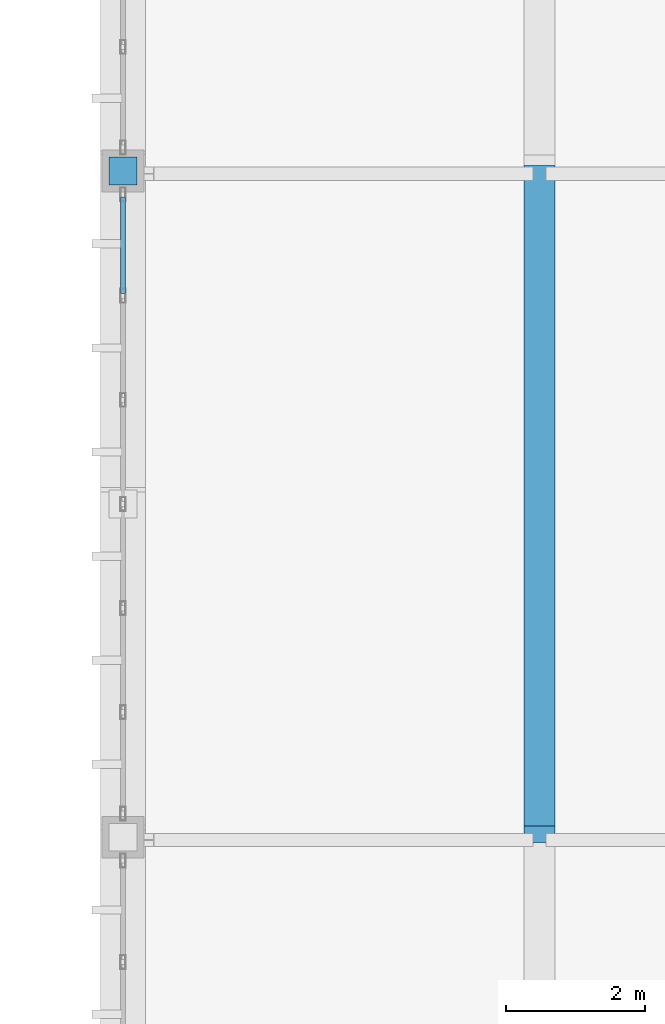
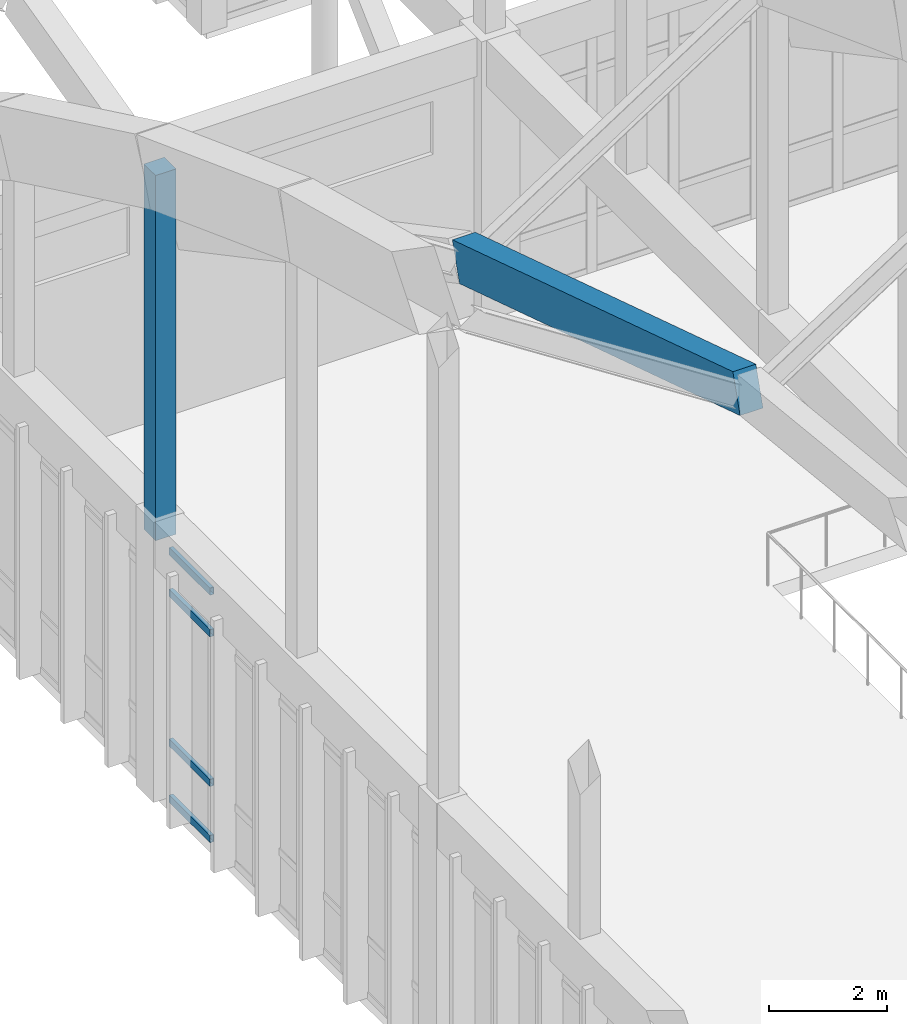
# One storey, part 67 of 236: 5 members, 1 beam, 1 element without a shape of its own.
"""IFC4 building model written with IfcOpenShell, lengths in metres."""

from ifc_helpers import new_model, si_unit, direction, frame, origin, origin_2d, place, context, subcontext, project, spatial, rectangle, hollow_rectangle, extrude, material, layer, layer_set, material_profile, profile_set, type_object, element, aggregate, save


model = new_model("IFC4")

# Units and contexts
model_context = context("Model", 3, precision=1e-05, world=origin(), true_north=direction((0.0, 1.0)))
body_context = subcontext(model_context, "Body", "Model", "MODEL_VIEW")
ifc_project = project(units=[si_unit("LENGTHUNIT", "METRE"), si_unit("AREAUNIT", "SQUARE_METRE"), si_unit("VOLUMEUNIT", "CUBIC_METRE"), si_unit("PLANEANGLEUNIT", "RADIAN"), si_unit("MASSUNIT", "GRAM", prefix="KILO")], contexts=[model_context])

# Site, building, storey
site_placement = place(None, origin())
site = spatial("IfcSite", under=ifc_project, at=site_placement, CompositionType="ELEMENT")
building_placement = place(site_placement, origin())
building = spatial("IfcBuilding", under=site, at=building_placement, Name="Pandanus Reach Market Hall", CompositionType="ELEMENT")
storey_placement = place(building_placement, frame((0.0, 0.0, 5.39990234375)))
storey = spatial("IfcBuildingStorey", under=building, at=storey_placement, Name="L01", CompositionType="ELEMENT", Elevation=5.39990234375)

# Member
ifc_material_1 = material(Name="Concrete N50 (50 MPa)", Category="concrete")
ifc_material_profile_1 = material_profile(ifc_material_1, rectangle(XDim=0.39990234375, YDim=0.39990234375, at=origin_2d()), Name="RC400x400", Category="LoadBearing")
ifc_profile_set_1 = profile_set([ifc_material_profile_1], Name="Concrete N50 (50 MPa)")
member_type_1 = type_object("IfcMemberType", Name="AR-WEB400-E", PredefinedType="STRUT", material=ifc_profile_set_1)
member_1_placement = place(storey_placement, frame((48.0, 76.800048828125, 5.3251953125), z_axis=(0.0, 0.0, 1.0), x_axis=(1.0, 0.0, 0.0)))
element("IfcMember", 1, at=member_1_placement, inside=storey, type_object=member_type_1, Name="Arch truss vertical web strut A1.10", PredefinedType="STRUT", context=body_context, shape_type="SweptSolid", body=[
    extrude(rectangle(XDim=0.39990234375, YDim=0.39990234375, at=origin_2d()), origin(), (0.0, 0.0, 1.0), 7.56591796875),
])

# Beam
ifc_material_2 = material(Name="Concrete N40 (40 MPa)", Category="concrete")
ifc_material_profile_2 = material_profile(ifc_material_2, rectangle(XDim=0.449951171875, YDim=0.800048828125, at=origin_2d()), Name="RC450x800", Category="LoadBearing")
ifc_profile_set_2 = profile_set([ifc_material_profile_2], Name="Concrete N40 (40 MPa)")
beam_type = type_object("IfcBeamType", Name="BM-RC450-I", PredefinedType="BEAM", material=ifc_profile_set_2)
beam_placement = place(storey_placement, frame((54.0, 67.239990234375, 11.959228515625), z_axis=(0.0, 0.952580593406, -0.30428639974), x_axis=(-1.0, 0.0, 0.0)))
element("IfcBeam", 2, at=beam_placement, inside=storey, type_object=beam_type, Name="Butterfly valley beam B1.6", PredefinedType="BEAM", context=body_context, shape_type="SweptSolid", body=[
    extrude(rectangle(XDim=0.449951171875, YDim=0.800048828125, at=origin_2d()), origin(), (0.0, 0.0, 1.0), 9.993896484375),
])

# Curtain wall, members
ifc_material_3 = material(Name="Bronze anodised aluminium and low-E glass", Category="aluminium")
ifc_layer = layer(ifc_material_3, 0.199951171875, Name="CW-05")
ifc_layer_set = layer_set([ifc_layer], Name="Bronze anodised aluminium and low-E glass")
curtain_wall_type = type_object("IfcCurtainWallType", Name="CW-05", PredefinedType="NOTDEFINED", material=ifc_layer_set)
curtain_wall_placement = place(storey_placement, origin())
curtain_wall = element("IfcCurtainWall", 3, at=curtain_wall_placement, inside=storey, type_object=curtain_wall_type, Name="Glazed curtain wall CW-05 CW-0032", PredefinedType="NOTDEFINED")
ifc_material_4 = material(Name="Bronze anodised aluminium", Category="aluminium")
ifc_material_profile_3 = material_profile(ifc_material_4, hollow_rectangle(XDim=0.074951171875, YDim=0.14990234375, WallThickness=0.00439453125, at=origin_2d()), Name="ALU75x150", Category="LoadBearing")
ifc_profile_set_3 = profile_set([ifc_material_profile_3], Name="Bronze anodised aluminium")
member_type_2 = type_object("IfcMemberType", Name="CW-T2", PredefinedType="USERDEFINED", material=ifc_profile_set_3)
member_2_placement = place(storey_placement, frame((48.0, 75.03759765625, 0.03759765625), z_axis=(0.0, 1.0, 0.0), x_axis=(-1.0, 0.0, 0.0)))
member_2 = element("IfcMember", 4, at=member_2_placement, type_object=member_type_2, Name="CW-05 transom 6.1", ObjectType="TRANSOM", PredefinedType="USERDEFINED", context=body_context, shape_type="SweptSolid", body=[
    extrude(hollow_rectangle(XDim=0.074951171875, YDim=0.14990234375, WallThickness=0.00439453125, at=origin_2d()), origin(), (0.0, 0.0, 1.0), 1.387451171875),
])
member_3_placement = place(storey_placement, frame((48.0, 75.03759765625, 1.2001953125), z_axis=(0.0, 1.0, 0.0), x_axis=(-1.0, 0.0, 0.0)))
member_3 = element("IfcMember", 5, at=member_3_placement, type_object=member_type_2, Name="CW-05 transom 6.2", ObjectType="TRANSOM", PredefinedType="USERDEFINED", context=body_context, shape_type="SweptSolid", body=[
    extrude(hollow_rectangle(XDim=0.074951171875, YDim=0.14990234375, WallThickness=0.00439453125, at=origin_2d()), origin(), (0.0, 0.0, 1.0), 1.387451171875),
])
member_4_placement = place(storey_placement, frame((48.0, 75.03759765625, 4.300048828125), z_axis=(0.0, 1.0, 0.0), x_axis=(-1.0, 0.0, 0.0)))
member_4 = element("IfcMember", 6, at=member_4_placement, type_object=member_type_2, Name="CW-05 transom 6.3", ObjectType="TRANSOM", PredefinedType="USERDEFINED", context=body_context, shape_type="SweptSolid", body=[
    extrude(hollow_rectangle(XDim=0.074951171875, YDim=0.14990234375, WallThickness=0.00439453125, at=origin_2d()), origin(), (0.0, 0.0, 1.0), 1.387451171875),
])
member_5_placement = place(storey_placement, frame((48.0, 75.03759765625, 5.16259765625), z_axis=(0.0, 1.0, 0.0), x_axis=(-1.0, 0.0, 0.0)))
member_5 = element("IfcMember", 7, at=member_5_placement, type_object=member_type_2, Name="CW-05 transom 6.4", ObjectType="TRANSOM", PredefinedType="USERDEFINED", context=body_context, shape_type="SweptSolid", body=[
    extrude(hollow_rectangle(XDim=0.074951171875, YDim=0.14990234375, WallThickness=0.00439453125, at=origin_2d()), origin(), (0.0, 0.0, 1.0), 1.387451171875),
])
aggregate(curtain_wall, [member_2, member_3, member_4, member_5])

save(model, "model.ifc")
